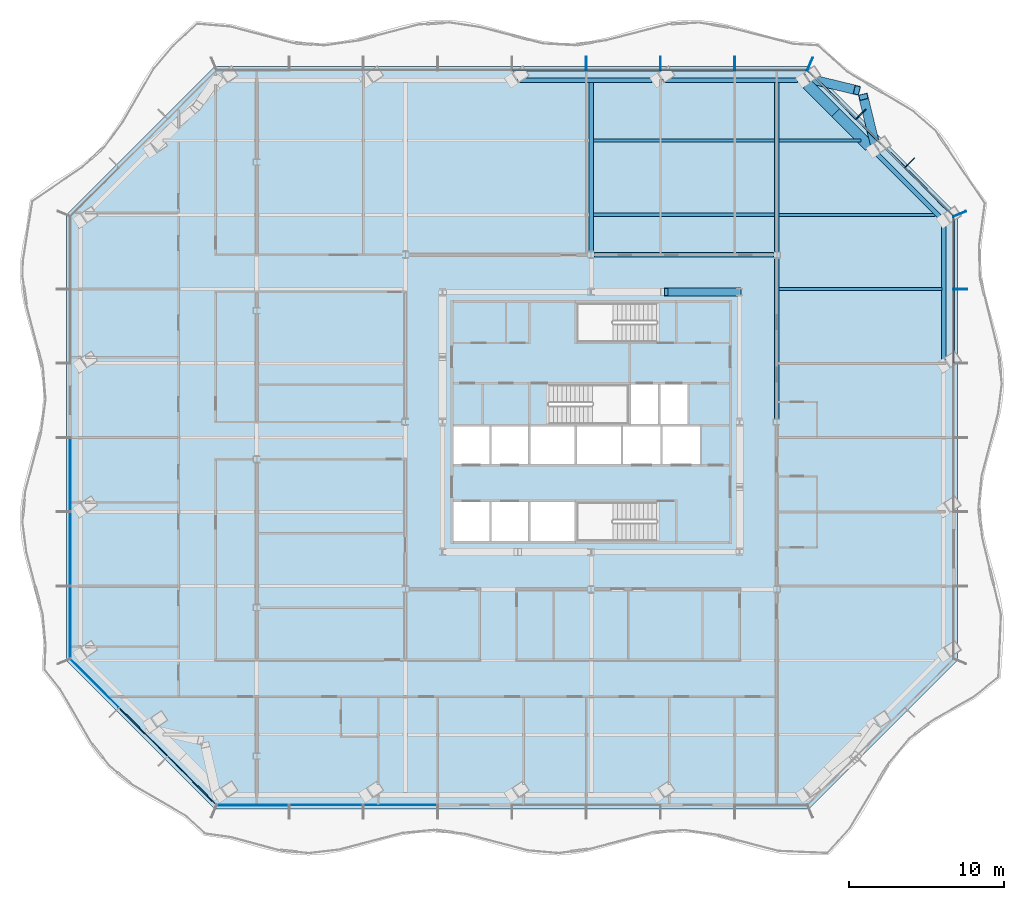
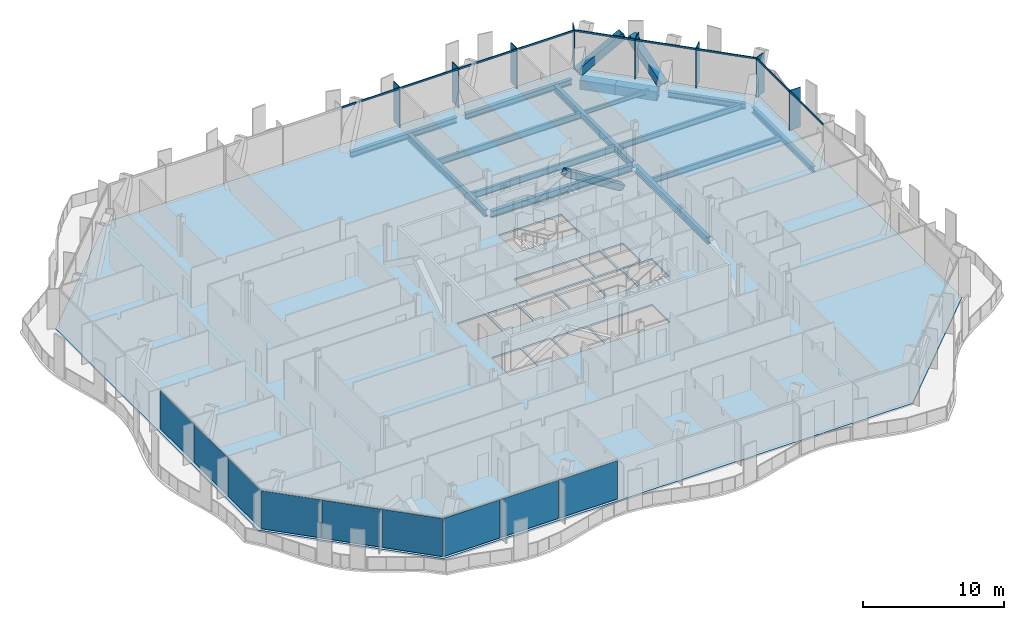
# One storey, part 4 of 19: 20 members, 15 beams, 9 plates, 1 slab, 6 elements without a shape of their own.
"""IFC4 building model written with IfcOpenShell, lengths in metres."""

from ifc_helpers import new_model, si_unit, direction, frame, origin, origin_2d, place, context, subcontext, project, spatial, polyline, rectangle, hollow_rectangle, i_section, outline, extrude, material, layer, layer_set, material_profile, profile_set, type_object, element, aggregate, save


model = new_model("IFC4")

# Units and contexts
model_context = context("Model", 3, precision=1e-05, world=origin(), true_north=direction((0.0, 1.0)))
body_context = subcontext(model_context, "Body", "Model", "MODEL_VIEW")
ifc_project = project(units=[si_unit("LENGTHUNIT", "METRE"), si_unit("AREAUNIT", "SQUARE_METRE"), si_unit("VOLUMEUNIT", "CUBIC_METRE"), si_unit("PLANEANGLEUNIT", "RADIAN"), si_unit("MASSUNIT", "GRAM", prefix="KILO")], contexts=[model_context])

# Site, building, storey
site_placement = place(None, origin())
site = spatial("IfcSite", under=ifc_project, at=site_placement, CompositionType="ELEMENT")
building_placement = place(site_placement, origin())
building = spatial("IfcBuilding", under=site, at=building_placement, Name="Cairn Pilgrim Tower", CompositionType="ELEMENT")
storey_placement = place(building_placement, frame((0.0, 0.0, 97.800048828125)))
storey = spatial("IfcBuildingStorey", under=building, at=storey_placement, Name="L23", CompositionType="ELEMENT", Elevation=97.800048828125)

# Members
ifc_material_1 = material(Name="Structural steel S460M", Category="steel")
ifc_material_profile_1 = material_profile(ifc_material_1, hollow_rectangle(XDim=0.5, YDim=0.5, WallThickness=0.030029296875, at=origin_2d()), Name="BOX 500x500x30")
ifc_profile_set_1 = profile_set([ifc_material_profile_1], Name="Structural steel S460M")
member_type_1 = type_object("IfcMemberType", Name="BOX 500x500x30 BRACE", PredefinedType="BRACE", material=ifc_profile_set_1)
member_1_placement = place(storey_placement, frame((16.75634765625, 10.800048828125, 0.099853515625), z_axis=(-0.851002408489, 0.0, 0.525161785305), x_axis=(0.0, -1.0, 0.0)))
element("IfcMember", 1, at=member_1_placement, inside=storey, type_object=member_type_1, Name="KB-3A", PredefinedType="BRACE", context=body_context, shape_type="SweptSolid", body=[
    extrude(hollow_rectangle(XDim=0.5, YDim=0.5, WallThickness=0.030029296875, at=origin_2d()), origin(), (0.0, 0.0, 1.0), 5.526611328125),
])
ifc_material_profile_2 = material_profile(ifc_material_1, hollow_rectangle(XDim=0.60009765625, YDim=0.60009765625, WallThickness=0.034912109375, at=origin_2d()), Name="BOX 600x600x35")
ifc_profile_set_2 = profile_set([ifc_material_profile_2], Name="Structural steel S460M")
member_type_2 = type_object("IfcMemberType", Name="BOX 600x600x35 BRACE", PredefinedType="BRACE", material=ifc_profile_set_2)
for number, where, z_axis, x_axis, name in (
    (2, (25.58154296875, 20.198974609375, 0.14990234375), (-0.185671892277, 0.765627949919, 0.615905667063), (-0.971831177419, -0.235678091042, 0.0), "XB-NE2-N1-1"),
    (3, (21.158203125, 24.622314453125, 0.14990234375), (0.765627949919, -0.185671892277, 0.615905667063), (0.235678091042, 0.971831177419, 0.0), "XB-NE2-N1-2"),
):
    element("IfcMember", number, at=place(storey_placement, frame(where, z_axis=z_axis, x_axis=x_axis)), inside=storey, type_object=member_type_2, Name=name, PredefinedType="BRACE", context=body_context, shape_type="SweptSolid", body=[
        extrude(hollow_rectangle(XDim=0.60009765625, YDim=0.60009765625, WallThickness=0.034912109375, at=origin_2d()), origin(), (0.0, 0.0, 1.0), 4.203857421875),
    ])

# Beams
ifc_material_2 = material(Name="Structural steel S355J2", Category="steel")
ifc_material_profile_3 = material_profile(ifc_material_2, hollow_rectangle(XDim=0.699951171875, YDim=0.800048828125, WallThickness=0.0400390625, at=origin_2d()), Name="BOX 700x800x40")
ifc_profile_set_3 = profile_set([ifc_material_profile_3], Name="Structural steel S355J2")
beam_type_1 = type_object("IfcBeamType", Name="BOX 700x800x40 RING GIRDER", PredefinedType="SPANDREL", material=ifc_profile_set_3)
beam_1_placement = place(storey_placement, frame((25.196044921875, 20.20947265625, -0.550048828125), z_axis=(-0.70706742861, 0.707146131574, 0.0), x_axis=(-0.707146131574, -0.70706742861, 0.0)))
element("IfcBeam", 4, at=beam_1_placement, inside=storey, type_object=beam_type_1, Name="RG1-NE2-N1-1", PredefinedType="SPANDREL", context=body_context, shape_type="SweptSolid", body=[
    extrude(hollow_rectangle(XDim=0.699951171875, YDim=0.800048828125, WallThickness=0.0400390625, at=origin_2d()), origin(), (0.0, 0.0, 1.0), 3.10205078125),
])
beam_2_placement = place(storey_placement, frame((23.002685546875, 22.403076171875, -0.550048828125), z_axis=(-0.707153847901, 0.707059711339, 0.0), x_axis=(-0.707059711339, -0.707153847901, 0.0)))
element("IfcBeam", 5, at=beam_2_placement, inside=storey, type_object=beam_type_1, Name="RG1-NE2-N1-2", PredefinedType="SPANDREL", context=body_context, shape_type="SweptSolid", body=[
    extrude(hollow_rectangle(XDim=0.699951171875, YDim=0.800048828125, WallThickness=0.0400390625, at=origin_2d()), origin(), (0.0, 0.0, 1.0), 2.593505859375),
])

# Curtain wall, member
ifc_material_3 = material(Name="Aluminium alloy 6063-T6 bronze anodised with Bronze tinted laminated low-E glass 8+16+8.8", Category="aluminium")
curtain_wall_type_1 = type_object("IfcCurtainWallType", Name="TOWER STICK CURTAIN WALL EW", PredefinedType="NOTDEFINED", material=ifc_material_3)
curtain_wall_1_placement = place(storey_placement, origin())
curtain_wall_1 = element("IfcCurtainWall", 6, at=curtain_wall_1_placement, inside=storey, type_object=curtain_wall_type_1, Name="Tower Stick Curtain Wall Ew E", PredefinedType="NOTDEFINED")
ifc_material_4 = material(Name="Aluminium alloy 6063-T6 bronze anodised", Category="aluminium")
ifc_material_profile_4 = material_profile(ifc_material_4, rectangle(XDim=0.89990234375, YDim=0.06005859375, at=origin_2d()), Name="FIN MULLION 60x900 BRONZE")
ifc_profile_set_4 = profile_set([ifc_material_profile_4], Name="Aluminium alloy 6063-T6 bronze anodised")
member_type_3 = type_object("IfcMemberType", Name="FIN MULLION 60x900 BRONZE", PredefinedType="MULLION", material=ifc_profile_set_4)
member_2_placement = place(storey_placement, frame((31.05712890625, 10.991455078125, 0.0), z_axis=(0.0, 0.0, 1.0), x_axis=(1.0, 0.0, 0.0)))
member_2 = element("IfcMember", 7, at=member_2_placement, type_object=member_type_3, Name="Fin mullion E6", PredefinedType="MULLION", context=body_context, shape_type="SweptSolid", body=[
    extrude(rectangle(XDim=0.89990234375, YDim=0.06005859375, at=origin_2d()), origin(), (0.0, 0.0, 1.0), 3.449951171875),
])

# Curtain wall, members
curtain_wall_type_2 = type_object("IfcCurtainWallType", Name="CHAMFER CORNER CURTAIN WALL", PredefinedType="NOTDEFINED", material=ifc_material_3)
curtain_wall_2_placement = place(storey_placement, origin())
curtain_wall_2 = element("IfcCurtainWall", 8, at=curtain_wall_2_placement, inside=storey, type_object=curtain_wall_type_2, Name="Chamfer Corner Curtain Wall NE", PredefinedType="NOTDEFINED")
member_3_placement = place(storey_placement, frame((31.025146484375, 15.8486328125, 0.0), z_axis=(0.0, 0.0, 1.0), x_axis=(0.923879532511, 0.382683432365, 0.0)))
member_3 = element("IfcMember", 9, at=member_3_placement, type_object=member_type_3, Name="Fin mullion NE1", PredefinedType="MULLION", context=body_context, shape_type="SweptSolid", body=[
    extrude(rectangle(XDim=0.89990234375, YDim=0.06005859375, at=origin_2d()), origin(), (0.0, 0.0, 1.0), 3.449951171875),
])
member_4_placement = place(storey_placement, frame((27.782958984375, 19.135986328125, 0.0), z_axis=(0.0, 0.0, 1.0), x_axis=(0.707106781187, 0.707106781187, 0.0)))
member_4 = element("IfcMember", 10, at=member_4_placement, type_object=member_type_3, Name="Fin mullion NE2", PredefinedType="MULLION", context=body_context, shape_type="SweptSolid", body=[
    extrude(rectangle(XDim=0.89990234375, YDim=0.06005859375, at=origin_2d()), origin(), (0.0, 0.0, 1.0), 3.449951171875),
])
member_5_placement = place(storey_placement, frame((24.631591796875, 22.287109375, 0.0), z_axis=(0.0, 0.0, 1.0), x_axis=(0.707106781187, 0.707106781187, 0.0)))
member_5 = element("IfcMember", 11, at=member_5_placement, type_object=member_type_3, Name="Fin mullion NE3", PredefinedType="MULLION", context=body_context, shape_type="SweptSolid", body=[
    extrude(rectangle(XDim=0.89990234375, YDim=0.06005859375, at=origin_2d()), origin(), (0.0, 0.0, 1.0), 3.449951171875),
])

curtain_wall_type_3 = type_object("IfcCurtainWallType", Name="TOWER STICK CURTAIN WALL NS", PredefinedType="NOTDEFINED", material=ifc_material_3)
curtain_wall_3_placement = place(storey_placement, origin())
curtain_wall_3 = element("IfcCurtainWall", 12, at=curtain_wall_3_placement, inside=storey, type_object=curtain_wall_type_3, Name="Tower Stick Curtain Wall Ns N", PredefinedType="NOTDEFINED")
member_6_placement = place(storey_placement, frame((21.34423828125, 25.529296875, 0.0), z_axis=(0.0, 0.0, 1.0), x_axis=(0.382683432365, 0.923879532511, 0.0)))
member_6 = element("IfcMember", 13, at=member_6_placement, type_object=member_type_3, Name="Fin mullion N1", PredefinedType="MULLION", context=body_context, shape_type="SweptSolid", body=[
    extrude(rectangle(XDim=0.89990234375, YDim=0.06005859375, at=origin_2d()), origin(), (0.0, 0.0, 1.0), 3.449951171875),
])
member_7_placement = place(storey_placement, frame((16.487060546875, 25.561279296875, 0.0), z_axis=(0.0, 0.0, 1.0), x_axis=(0.0, 1.0, 0.0)))
member_7 = element("IfcMember", 14, at=member_7_placement, type_object=member_type_3, Name="Fin mullion N2", PredefinedType="MULLION", context=body_context, shape_type="SweptSolid", body=[
    extrude(rectangle(XDim=0.89990234375, YDim=0.06005859375, at=origin_2d()), origin(), (0.0, 0.0, 1.0), 3.449951171875),
])
member_8_placement = place(storey_placement, frame((11.68701171875, 25.561279296875, 0.0), z_axis=(0.0, 0.0, 1.0), x_axis=(0.0, 1.0, 0.0)))
member_8 = element("IfcMember", 15, at=member_8_placement, type_object=member_type_3, Name="Fin mullion N3", PredefinedType="MULLION", context=body_context, shape_type="SweptSolid", body=[
    extrude(rectangle(XDim=0.89990234375, YDim=0.06005859375, at=origin_2d()), origin(), (0.0, 0.0, 1.0), 3.449951171875),
])
member_9_placement = place(storey_placement, frame((6.886962890625, 25.561279296875, 0.0), z_axis=(0.0, 0.0, 1.0), x_axis=(0.0, 1.0, 0.0)))
member_9 = element("IfcMember", 16, at=member_9_placement, type_object=member_type_3, Name="Fin mullion N4", PredefinedType="MULLION", context=body_context, shape_type="SweptSolid", body=[
    extrude(rectangle(XDim=0.89990234375, YDim=0.06005859375, at=origin_2d()), origin(), (0.0, 0.0, 1.0), 3.449951171875),
])

# Beams
ifc_material_profile_5 = material_profile(ifc_material_2, i_section(OverallWidth=0.300048828125, OverallDepth=0.5, WebThickness=0.014404296875, FlangeThickness=0.028076171875, FilletRadius=0.027099609375, at=origin_2d()), Name="HEB 500")
ifc_profile_set_5 = profile_set([ifc_material_profile_5], Name="Structural steel S355J2")
beam_type_2 = type_object("IfcBeamType", Name="HEB 500 RING GIRDER", PredefinedType="SPANDREL", material=ifc_profile_set_5)
beam_3_placement = place(storey_placement, frame((29.987060546875, 6.427001953125, -0.400146484375), z_axis=(0.0, 1.0, 0.0), x_axis=(-1.0, 0.0, 0.0)))
element("IfcBeam", 17, at=beam_3_placement, inside=storey, type_object=beam_type_2, Name="RG1-E3-NE1", PredefinedType="SPANDREL", context=body_context, shape_type="SweptSolid", body=[
    extrude(i_section(OverallWidth=0.300048828125, OverallDepth=0.5, WebThickness=0.014404296875, FlangeThickness=0.028076171875, FilletRadius=0.027099609375, at=origin_2d()), origin(), (0.0, 0.0, 1.0), 8.631591796875),
])
beam_4_placement = place(storey_placement, frame((29.732421875, 15.673095703125, -0.400146484375), z_axis=(-0.707106781187, 0.707106781187, 0.0), x_axis=(-0.707106781187, -0.707106781187, 0.0)))
element("IfcBeam", 18, at=beam_4_placement, inside=storey, type_object=beam_type_2, Name="RG1-NE1-NE2", PredefinedType="SPANDREL", context=body_context, shape_type="SweptSolid", body=[
    extrude(i_section(OverallWidth=0.300048828125, OverallDepth=0.5, WebThickness=0.014404296875, FlangeThickness=0.028076171875, FilletRadius=0.027099609375, at=origin_2d()), origin(), (0.0, 0.0, 1.0), 5.695556640625),
])
for number, where, z_axis, x_axis, name in (
    (19, (20.55419921875, 24.491455078125, -0.400146484375), (-1.0, 0.0, 0.0), (0.0, -1.0, 0.0), "RG1-N1-N2"),
    (20, (11.140625, 24.491455078125, -0.400146484375), (-1.0, 0.0, 0.0), (0.0, -1.0, 0.0), "RG1-N2-N3"),
):
    element("IfcBeam", number, at=place(storey_placement, frame(where, z_axis=z_axis, x_axis=x_axis)), inside=storey, type_object=beam_type_2, Name=name, PredefinedType="SPANDREL", context=body_context, shape_type="SweptSolid", body=[
        extrude(i_section(OverallWidth=0.300048828125, OverallDepth=0.5, WebThickness=0.014404296875, FlangeThickness=0.028076171875, FilletRadius=0.027099609375, at=origin_2d()), origin(), (0.0, 0.0, 1.0), 8.693603515625),
    ])
ifc_material_profile_6 = material_profile(ifc_material_2, i_section(OverallWidth=0.300048828125, OverallDepth=0.60009765625, WebThickness=0.015380859375, FlangeThickness=0.030029296875, FilletRadius=0.027099609375, at=origin_2d()), Name="HEB 600")
ifc_profile_set_6 = profile_set([ifc_material_profile_6], Name="Structural steel S355J2")
beam_type_3 = type_object("IfcBeamType", Name="HEB 600 GIRDER", PredefinedType="BEAM", material=ifc_profile_set_6)
beam_5_placement = place(storey_placement, frame((7.199951171875, 13.404541015625, -0.449951171875), z_axis=(0.0, 1.0, 0.0), x_axis=(-1.0, 0.0, 0.0)))
element("IfcBeam", 21, at=beam_5_placement, inside=storey, type_object=beam_type_3, Name="PG3-2", PredefinedType="BEAM", context=body_context, shape_type="SweptSolid", body=[
    extrude(i_section(OverallWidth=0.300048828125, OverallDepth=0.60009765625, WebThickness=0.015380859375, FlangeThickness=0.030029296875, FilletRadius=0.027099609375, at=origin_2d()), origin(), (0.0, 0.0, 1.0), 10.966796875),
])
beam_6_placement = place(storey_placement, frame((19.199951171875, 2.6044921875, -0.449951171875), z_axis=(0.0, 1.0, 0.0), x_axis=(-1.0, 0.0, 0.0)))
element("IfcBeam", 22, at=beam_6_placement, inside=storey, type_object=beam_type_3, Name="PG4-3", PredefinedType="BEAM", context=body_context, shape_type="SweptSolid", body=[
    extrude(i_section(OverallWidth=0.300048828125, OverallDepth=0.60009765625, WebThickness=0.015380859375, FlangeThickness=0.030029296875, FilletRadius=0.027099609375, at=origin_2d()), origin(), (0.0, 0.0, 1.0), 10.39111328125),
])
beam_7_placement = place(storey_placement, frame((19.199951171875, 13.404541015625, -0.449951171875), z_axis=(0.0, 1.0, 0.0), x_axis=(-1.0, 0.0, 0.0)))
element("IfcBeam", 23, at=beam_7_placement, inside=storey, type_object=beam_type_3, Name="PG4-4", PredefinedType="BEAM", context=body_context, shape_type="SweptSolid", body=[
    extrude(i_section(OverallWidth=0.300048828125, OverallDepth=0.60009765625, WebThickness=0.015380859375, FlangeThickness=0.030029296875, FilletRadius=0.027099609375, at=origin_2d()), origin(), (0.0, 0.0, 1.0), 10.966796875),
])
ifc_material_profile_7 = material_profile(ifc_material_2, i_section(OverallWidth=0.300048828125, OverallDepth=0.60009765625, WebThickness=0.015380859375, FlangeThickness=0.030029296875, FilletRadius=0.027099609375, at=origin_2d()), Name="HEB 600")
ifc_profile_set_7 = profile_set([ifc_material_profile_7], Name="Structural steel S355J2")
beam_type_4 = type_object("IfcBeamType", Name="HEB 600 INNER GIRDER", PredefinedType="BEAM", material=ifc_profile_set_7)
beam_8_placement = place(storey_placement, frame((7.404541015625, 13.199951171875, -0.449951171875), z_axis=(1.0, 0.0, 0.0), x_axis=(0.0, 1.0, 0.0)))
element("IfcBeam", 24, at=beam_8_placement, inside=storey, type_object=beam_type_4, Name="IG2-2", PredefinedType="BEAM", context=body_context, shape_type="SweptSolid", body=[
    extrude(i_section(OverallWidth=0.300048828125, OverallDepth=0.60009765625, WebThickness=0.015380859375, FlangeThickness=0.030029296875, FilletRadius=0.027099609375, at=origin_2d()), origin(), (0.0, 0.0, 1.0), 11.591064453125),
])
ifc_material_profile_8 = material_profile(ifc_material_2, i_section(OverallWidth=0.169921875, OverallDepth=0.360107421875, WebThickness=0.008056640625, FlangeThickness=0.0126953125, FilletRadius=0.01806640625, at=origin_2d()), Name="IPE 360")
ifc_profile_set_8 = profile_set([ifc_material_profile_8], Name="Structural steel S355J2")
beam_type_5 = type_object("IfcBeamType", Name="IPE 360 SECONDARY BEAM", PredefinedType="JOIST", material=ifc_profile_set_8)
beam_9_placement = place(storey_placement, frame((19.35009765625, 20.59130859375, -0.330078125), z_axis=(1.0, 0.0, 0.0), x_axis=(0.0, 1.0, 0.0)))
element("IfcBeam", 25, at=beam_9_placement, inside=storey, type_object=beam_type_5, Name="SB9-5", PredefinedType="JOIST", context=body_context, shape_type="SweptSolid", body=[
    extrude(i_section(OverallWidth=0.169921875, OverallDepth=0.360107421875, WebThickness=0.008056640625, FlangeThickness=0.0126953125, FilletRadius=0.01806640625, at=origin_2d()), origin(), (0.0, 0.0, 1.0), 5.281982421875),
])
ifc_material_profile_9 = material_profile(ifc_material_2, i_section(OverallWidth=0.199951171875, OverallDepth=0.5, WebThickness=0.01025390625, FlangeThickness=0.01611328125, FilletRadius=0.02099609375, at=origin_2d()), Name="IPE 500")
ifc_profile_set_9 = profile_set([ifc_material_profile_9], Name="Structural steel S355J2")
beam_type_6 = type_object("IfcBeamType", Name="IPE 500 SECONDARY BEAM", PredefinedType="JOIST", material=ifc_profile_set_9)
beam_10_placement = place(storey_placement, frame((19.35009765625, 10.991455078125, -0.400146484375), z_axis=(1.0, 0.0, 0.0), x_axis=(0.0, 1.0, 0.0)))
element("IfcBeam", 26, at=beam_10_placement, inside=storey, type_object=beam_type_6, Name="SB7-3", PredefinedType="JOIST", context=body_context, shape_type="SweptSolid", body=[
    extrude(i_section(OverallWidth=0.199951171875, OverallDepth=0.5, WebThickness=0.01025390625, FlangeThickness=0.01611328125, FilletRadius=0.02099609375, at=origin_2d()), origin(), (0.0, 0.0, 1.0), 10.51708984375),
])
beam_11_placement = place(storey_placement, frame((19.35009765625, 15.79150390625, -0.400146484375), z_axis=(1.0, 0.0, 0.0), x_axis=(0.0, 1.0, 0.0)))
element("IfcBeam", 27, at=beam_11_placement, inside=storey, type_object=beam_type_6, Name="SB8-5", PredefinedType="JOIST", context=body_context, shape_type="SweptSolid", body=[
    extrude(i_section(OverallWidth=0.199951171875, OverallDepth=0.5, WebThickness=0.01025390625, FlangeThickness=0.01611328125, FilletRadius=0.02099609375, at=origin_2d()), origin(), (0.0, 0.0, 1.0), 10.08203125),
])
ifc_material_profile_10 = material_profile(ifc_material_2, i_section(OverallWidth=0.2099609375, OverallDepth=0.550048828125, WebThickness=0.010986328125, FlangeThickness=0.01708984375, FilletRadius=0.02392578125, at=origin_2d()), Name="IPE 550")
ifc_profile_set_10 = profile_set([ifc_material_profile_10], Name="Structural steel S355J2")
beam_type_7 = type_object("IfcBeamType", Name="IPE 550 SECONDARY BEAM", PredefinedType="JOIST", material=ifc_profile_set_10)
for number, where, z_axis, x_axis, name in (
    (28, (7.35009765625, 15.79150390625, -0.425048828125), (1.0, 0.0, 0.0), (0.0, 1.0, 0.0), "SB8-4"),
    (29, (7.35009765625, 20.59130859375, -0.425048828125), (1.0, 0.0, 0.0), (0.0, 1.0, 0.0), "SB9-4"),
):
    element("IfcBeam", number, at=place(storey_placement, frame(where, z_axis=z_axis, x_axis=x_axis)), inside=storey, type_object=beam_type_7, Name=name, PredefinedType="JOIST", context=body_context, shape_type="SweptSolid", body=[
        extrude(i_section(OverallWidth=0.2099609375, OverallDepth=0.550048828125, WebThickness=0.010986328125, FlangeThickness=0.01708984375, FilletRadius=0.02392578125, at=origin_2d()), origin(), (0.0, 0.0, 1.0), 11.699951171875),
    ])

# Member
ifc_material_profile_11 = material_profile(ifc_material_4, rectangle(XDim=0.080078125, YDim=0.14990234375, at=origin_2d()), Name="TRANSOM 80x150 BRONZE")
ifc_profile_set_11 = profile_set([ifc_material_profile_11], Name="Aluminium alloy 6063-T6 bronze anodised")
member_type_4 = type_object("IfcMemberType", Name="TRANSOM 80x150 BRONZE", PredefinedType="USERDEFINED", material=ifc_profile_set_11)
member_10_placement = place(storey_placement, frame((30.636962890625, 6.221435546875, 3.375), z_axis=(0.0, 1.0, 0.0), x_axis=(-1.0, 0.0, 0.0)))
member_10 = element("IfcMember", 30, at=member_10_placement, type_object=member_type_4, Name="Transom E5", ObjectType="TRANSOM", PredefinedType="USERDEFINED", context=body_context, shape_type="SweptSolid", body=[
    extrude(rectangle(XDim=0.080078125, YDim=0.14990234375, at=origin_2d()), origin(), (0.0, 0.0, 1.0), 4.739990234375),
])

member_11_placement = place(storey_placement, frame((30.636962890625, 11.021484375, 3.375), z_axis=(0.0, 1.0, 0.0), x_axis=(-1.0, 0.0, 0.0)))
member_11 = element("IfcMember", 31, at=member_11_placement, type_object=member_type_4, Name="Transom E6", ObjectType="TRANSOM", PredefinedType="USERDEFINED", context=body_context, shape_type="SweptSolid", body=[
    extrude(rectangle(XDim=0.080078125, YDim=0.14990234375, at=origin_2d()), origin(), (0.0, 0.0, 1.0), 4.626220703125),
])

aggregate(curtain_wall_1, [member_2, member_10, member_11])

member_12_placement = place(storey_placement, frame((30.60888671875, 15.716064453125, 3.375), z_axis=(-0.707106781187, 0.707106781187, 0.0), x_axis=(-0.707106781187, -0.707106781187, 0.0)))
member_12 = element("IfcMember", 32, at=member_12_placement, type_object=member_type_4, Name="Transom NE1", ObjectType="TRANSOM", PredefinedType="USERDEFINED", context=body_context, shape_type="SweptSolid", body=[
    extrude(rectangle(XDim=0.080078125, YDim=0.14990234375, at=origin_2d()), origin(), (0.0, 0.0, 1.0), 4.38671875),
])

member_13_placement = place(storey_placement, frame((27.464599609375, 18.860107421875, 3.375), z_axis=(-0.707079015032, 0.707134546251, 0.0), x_axis=(-0.707134546251, -0.707079015032, 0.0)))
member_13 = element("IfcMember", 33, at=member_13_placement, type_object=member_type_4, Name="Transom NE2", ObjectType="TRANSOM", PredefinedType="USERDEFINED", context=body_context, shape_type="SweptSolid", body=[
    extrude(rectangle(XDim=0.080078125, YDim=0.14990234375, at=origin_2d()), origin(), (0.0, 0.0, 1.0), 4.396484375),
])

member_14_placement = place(storey_placement, frame((24.3134765625, 22.011474609375, 3.375), z_axis=(-0.707106781187, 0.707106781187, 0.0), x_axis=(-0.707106781187, -0.707106781187, 0.0)))
member_14 = element("IfcMember", 34, at=member_14_placement, type_object=member_type_4, Name="Transom NE3", ObjectType="TRANSOM", PredefinedType="USERDEFINED", context=body_context, shape_type="SweptSolid", body=[
    extrude(rectangle(XDim=0.080078125, YDim=0.14990234375, at=origin_2d()), origin(), (0.0, 0.0, 1.0), 4.38623046875),
])

aggregate(curtain_wall_2, [member_3, member_4, member_5, member_12, member_13, member_14])

member_15_placement = place(storey_placement, frame((21.1435546875, 25.141357421875, 3.375), z_axis=(-1.0, 0.0, 0.0), x_axis=(0.0, -1.0, 0.0)))
member_15 = element("IfcMember", 35, at=member_15_placement, type_object=member_type_4, Name="Transom N1", ObjectType="TRANSOM", PredefinedType="USERDEFINED", context=body_context, shape_type="SweptSolid", body=[
    extrude(rectangle(XDim=0.080078125, YDim=0.14990234375, at=origin_2d()), origin(), (0.0, 0.0, 1.0), 4.62646484375),
])

member_16_placement = place(storey_placement, frame((16.45703125, 25.141357421875, 3.375), z_axis=(-1.0, 0.0, 0.0), x_axis=(0.0, -1.0, 0.0)))
member_16 = element("IfcMember", 36, at=member_16_placement, type_object=member_type_4, Name="Transom N2", ObjectType="TRANSOM", PredefinedType="USERDEFINED", context=body_context, shape_type="SweptSolid", body=[
    extrude(rectangle(XDim=0.080078125, YDim=0.14990234375, at=origin_2d()), origin(), (0.0, 0.0, 1.0), 4.739990234375),
])

member_17_placement = place(storey_placement, frame((11.656982421875, 25.141357421875, 3.375), z_axis=(-1.0, 0.0, 0.0), x_axis=(0.0, -1.0, 0.0)))
member_17 = element("IfcMember", 37, at=member_17_placement, type_object=member_type_4, Name="Transom N3", ObjectType="TRANSOM", PredefinedType="USERDEFINED", context=body_context, shape_type="SweptSolid", body=[
    extrude(rectangle(XDim=0.080078125, YDim=0.14990234375, at=origin_2d()), origin(), (0.0, 0.0, 1.0), 4.739990234375),
])

member_18_placement = place(storey_placement, frame((6.857177734375, 25.141357421875, 3.375), z_axis=(-1.0, 0.0, 0.0), x_axis=(0.0, -1.0, 0.0)))
member_18 = element("IfcMember", 38, at=member_18_placement, type_object=member_type_4, Name="Transom N4", ObjectType="TRANSOM", PredefinedType="USERDEFINED", context=body_context, shape_type="SweptSolid", body=[
    extrude(rectangle(XDim=0.080078125, YDim=0.14990234375, at=origin_2d()), origin(), (0.0, 0.0, 1.0), 4.739990234375),
])

aggregate(curtain_wall_3, [member_6, member_7, member_8, member_9, member_15, member_16, member_17, member_18])

# Slab
ifc_material_5 = material(Name="Concrete C35/45", Category="concrete")
ifc_layer_1 = layer(ifc_material_5, 0.14990234375)
ifc_layer_set_1 = layer_set([ifc_layer_1], Name="COMPOSITE FLOOR SLAB 150")
slab_type = type_object("IfcSlabType", Name="COMPOSITE FLOOR SLAB 150", PredefinedType="FLOOR", material=ifc_layer_set_1)
slab_placement = place(storey_placement, frame((0.0, 0.0, -0.150146484375)))
element("IfcSlab", 39, at=slab_placement, inside=storey, type_object=slab_type, Name="FLOOR SLAB L23", PredefinedType="FLOOR", context=body_context, shape_type="SweptSolid", body=[
    extrude(outline(polyline([(-17.113037109375, -22.608642578125), (21.287109375, -22.608642578125), (30.886962890625, -13.008544921875), (30.886962890625, 15.791259765625), (21.287109375, 25.391357421875), (-17.113037109375, 25.391357421875), (-26.712890625, 15.791259765625), (-26.712890625, -13.008544921875), (-17.113037109375, -22.608642578125)]), holes=[polyline([(-1.72509765625, -5.300048828125), (0.625, -5.300048828125), (0.625, -2.77490234375), (-1.72509765625, -2.77490234375), (-1.72509765625, -5.300048828125)]), polyline([(0.77490234375, -5.300048828125), (3.125, -5.300048828125), (3.125, -2.77490234375), (0.77490234375, -2.77490234375), (0.77490234375, -5.300048828125)]), polyline([(-1.72509765625, -0.324951171875), (0.625, -0.324951171875), (0.625, 2.125), (-1.72509765625, 2.125), (-1.72509765625, -0.324951171875)]), polyline([(0.77490234375, -0.324951171875), (3.125, -0.324951171875), (3.125, 2.125), (0.77490234375, 2.125), (0.77490234375, -0.324951171875)]), polyline([(3.27490234375, -5.300048828125), (6.125, -5.300048828125), (6.125, -2.77490234375), (3.27490234375, -2.77490234375), (3.27490234375, -5.300048828125)]), polyline([(3.27490234375, -0.324951171875), (6.125, -0.324951171875), (6.125, 2.125), (3.27490234375, 2.125), (3.27490234375, -0.324951171875)]), polyline([(6.27490234375, -0.324951171875), (9.125, -0.324951171875), (9.125, 2.125), (6.27490234375, 2.125), (6.27490234375, -0.324951171875)]), polyline([(9.27490234375, -0.324951171875), (11.675048828125, -0.324951171875), (11.675048828125, 2.125), (9.27490234375, 2.125), (9.27490234375, -0.324951171875)]), polyline([(11.824951171875, -0.324951171875), (14.22509765625, -0.324951171875), (14.22509765625, 2.125), (11.824951171875, 2.125), (11.824951171875, -0.324951171875)]), polyline([(9.77490234375, 2.27490234375), (11.52490234375, 2.27490234375), (11.52490234375, 4.824951171875), (9.77490234375, 4.824951171875), (9.77490234375, 2.27490234375)]), polyline([(11.675048828125, 2.27490234375), (13.425048828125, 2.27490234375), (13.425048828125, 4.824951171875), (11.675048828125, 4.824951171875), (11.675048828125, 2.27490234375)]), polyline([(11.424560546875, -2.77490234375), (6.27490234375, -2.77490234375), (6.27490234375, -5.300048828125), (11.424560546875, -5.300048828125), (11.424560546875, -2.77490234375)]), polyline([(4.4755859375, 2.27490234375), (9.625, 2.27490234375), (9.625, 4.824951171875), (4.4755859375, 4.824951171875), (4.4755859375, 2.27490234375)]), polyline([(11.424560546875, 10.10009765625), (6.27490234375, 10.10009765625), (6.27490234375, 7.574951171875), (11.424560546875, 7.574951171875), (11.424560546875, 10.10009765625)])]), origin(), (0.0, 0.0, 1.0), 0.150146484375),
])

# Curtain wall, plates
curtain_wall_4_placement = place(storey_placement, origin())
curtain_wall_4 = element("IfcCurtainWall", 40, at=curtain_wall_4_placement, inside=storey, type_object=curtain_wall_type_2, Name="Chamfer Corner Curtain Wall SW", PredefinedType="NOTDEFINED")
ifc_material_6 = material(Name="Bronze anodised aluminium spandrel panel with mineral wool insulation", Category="aluminium")
ifc_layer_2 = layer(ifc_material_6, 0.06005859375)
ifc_layer_set_2 = layer_set([ifc_layer_2], Name="SPANDREL PANEL 4386x3300")
plate_type_1 = type_object("IfcPlateType", Name="SPANDREL PANEL 4386x3300", PredefinedType="CURTAIN_PANEL", material=ifc_layer_set_2)
plate_1_placement = place(storey_placement, frame((-18.588623046875, -20.779541015625, 0.0), z_axis=(0.0, 0.0, 1.0), x_axis=(0.707106781187, -0.707106781187, 0.0)))
plate_1 = element("IfcPlate", 41, at=plate_1_placement, type_object=plate_type_1, Name="Spandrel Panel SW3-1", PredefinedType="CURTAIN_PANEL", context=body_context, shape_type="SweptSolid", body=[
    extrude(rectangle(XDim=4.386474609375, YDim=0.06005859375, at=origin_2d()), origin(), (0.0, 0.0, 1.0), 3.300048828125),
])
ifc_layer_3 = layer(ifc_material_6, 0.06005859375)
ifc_layer_set_3 = layer_set([ifc_layer_3], Name="SPANDREL PANEL 4396x3300")
plate_type_2 = type_object("IfcPlateType", Name="SPANDREL PANEL 4396x3300", PredefinedType="CURTAIN_PANEL", material=ifc_layer_set_3)
plate_2_placement = place(storey_placement, frame((-21.736083984375, -17.6318359375, 0.0), z_axis=(0.0, 0.0, 1.0), x_axis=(0.707106781187, -0.707106781187, 0.0)))
plate_2 = element("IfcPlate", 42, at=plate_2_placement, type_object=plate_type_2, Name="Spandrel Panel SW2-1", PredefinedType="CURTAIN_PANEL", context=body_context, shape_type="SweptSolid", body=[
    extrude(rectangle(XDim=4.396484375, YDim=0.06005859375, at=origin_2d()), origin(), (0.0, 0.0, 1.0), 3.300048828125),
])

# Curtain wall, plate
curtain_wall_5_placement = place(storey_placement, origin())
curtain_wall_5 = element("IfcCurtainWall", 43, at=curtain_wall_5_placement, inside=storey, type_object=curtain_wall_type_3, Name="Tower Stick Curtain Wall Ns S", PredefinedType="NOTDEFINED")
ifc_layer_4 = layer(ifc_material_6, 0.06005859375)
ifc_layer_set_4 = layer_set([ifc_layer_4], Name="SPANDREL PANEL 4626x3300")
plate_type_3 = type_object("IfcPlateType", Name="SPANDREL PANEL 4626x3300", PredefinedType="CURTAIN_PANEL", material=ifc_layer_set_4)
plate_3_placement = place(storey_placement, frame((-14.65625, -22.358642578125, 0.0), z_axis=(0.0, 0.0, 1.0), x_axis=(1.0, 0.0, 0.0)))
plate_3 = element("IfcPlate", 44, at=plate_3_placement, type_object=plate_type_3, Name="Spandrel Panel S1-1", PredefinedType="CURTAIN_PANEL", context=body_context, shape_type="SweptSolid", body=[
    extrude(rectangle(XDim=4.62646484375, YDim=0.06005859375, at=origin_2d()), origin(), (0.0, 0.0, 1.0), 3.300048828125),
])

# Plate
ifc_material_7 = material(Name="Bronze tinted laminated low-E glass 8+16+8.8", Category="glass")
ifc_layer_5 = layer(ifc_material_7, 0.033935546875)
ifc_layer_set_5 = layer_set([ifc_layer_5], Name="VISION GLAZING 4386x3300")
plate_type_4 = type_object("IfcPlateType", Name="VISION GLAZING 4386x3300", PredefinedType="CURTAIN_PANEL", material=ifc_layer_set_5)
plate_4_placement = place(storey_placement, frame((-24.8837890625, -14.484130859375, 0.0), z_axis=(0.0, 0.0, 1.0), x_axis=(0.707106781187, -0.707106781187, 0.0)))
plate_4 = element("IfcPlate", 45, at=plate_4_placement, type_object=plate_type_4, Name="Vision Glazing SW1-1", PredefinedType="CURTAIN_PANEL", context=body_context, shape_type="SweptSolid", body=[
    extrude(rectangle(XDim=4.386474609375, YDim=0.033935546875, at=origin_2d()), origin(), (0.0, 0.0, 1.0), 3.300048828125),
])

aggregate(curtain_wall_4, [plate_4, plate_2, plate_1])

# Curtain wall, plate
curtain_wall_6_placement = place(storey_placement, origin())
curtain_wall_6 = element("IfcCurtainWall", 46, at=curtain_wall_6_placement, inside=storey, type_object=curtain_wall_type_1, Name="Tower Stick Curtain Wall Ew W", PredefinedType="NOTDEFINED")
ifc_layer_6 = layer(ifc_material_7, 0.033935546875)
ifc_layer_set_6 = layer_set([ifc_layer_6], Name="VISION GLAZING 4626x3300")
plate_type_5 = type_object("IfcPlateType", Name="VISION GLAZING 4626x3300", PredefinedType="CURTAIN_PANEL", material=ifc_layer_set_6)
plate_5_placement = place(storey_placement, frame((-26.462890625, -10.5517578125, 0.0), z_axis=(0.0, 0.0, 1.0), x_axis=(0.0, -1.0, 0.0)))
plate_5 = element("IfcPlate", 47, at=plate_5_placement, type_object=plate_type_5, Name="Vision Glazing W6-1", PredefinedType="CURTAIN_PANEL", context=body_context, shape_type="SweptSolid", body=[
    extrude(rectangle(XDim=4.62646484375, YDim=0.033935546875, at=origin_2d()), origin(), (0.0, 0.0, 1.0), 3.300048828125),
])

# Plate
ifc_layer_7 = layer(ifc_material_7, 0.033935546875)
ifc_layer_set_7 = layer_set([ifc_layer_7], Name="VISION GLAZING 4740x3300")
plate_type_6 = type_object("IfcPlateType", Name="VISION GLAZING 4740x3300", PredefinedType="CURTAIN_PANEL", material=ifc_layer_set_7)
plate_6_placement = place(storey_placement, frame((-9.912841796875, -22.358642578125, 0.0), z_axis=(0.0, 0.0, 1.0), x_axis=(1.0, 0.0, 0.0)))
plate_6 = element("IfcPlate", 48, at=plate_6_placement, type_object=plate_type_6, Name="Vision Glazing S2-1", PredefinedType="CURTAIN_PANEL", context=body_context, shape_type="SweptSolid", body=[
    extrude(rectangle(XDim=4.739990234375, YDim=0.033935546875, at=origin_2d()), origin(), (0.0, 0.0, 1.0), 3.300048828125),
])

plate_7_placement = place(storey_placement, frame((-5.113037109375, -22.358642578125, 0.0), z_axis=(0.0, 0.0, 1.0), x_axis=(1.0, 0.0, 0.0)))
plate_7 = element("IfcPlate", 49, at=plate_7_placement, type_object=plate_type_6, Name="Vision Glazing S3-1", PredefinedType="CURTAIN_PANEL", context=body_context, shape_type="SweptSolid", body=[
    extrude(rectangle(XDim=4.739990234375, YDim=0.033935546875, at=origin_2d()), origin(), (0.0, 0.0, 1.0), 3.300048828125),
])

aggregate(curtain_wall_5, [plate_3, plate_6, plate_7])

plate_8_placement = place(storey_placement, frame((-26.462890625, -1.008544921875, 0.0), z_axis=(0.0, 0.0, 1.0), x_axis=(0.0, -1.0, 0.0)))
plate_8 = element("IfcPlate", 50, at=plate_8_placement, type_object=plate_type_6, Name="Vision Glazing W4-1", PredefinedType="CURTAIN_PANEL", context=body_context, shape_type="SweptSolid", body=[
    extrude(rectangle(XDim=4.739990234375, YDim=0.033935546875, at=origin_2d()), origin(), (0.0, 0.0, 1.0), 3.300048828125),
])

plate_9_placement = place(storey_placement, frame((-26.462890625, -5.80859375, 0.0), z_axis=(0.0, 0.0, 1.0), x_axis=(0.0, -1.0, 0.0)))
plate_9 = element("IfcPlate", 51, at=plate_9_placement, type_object=plate_type_6, Name="Vision Glazing W5-1", PredefinedType="CURTAIN_PANEL", context=body_context, shape_type="SweptSolid", body=[
    extrude(rectangle(XDim=4.739990234375, YDim=0.033935546875, at=origin_2d()), origin(), (0.0, 0.0, 1.0), 3.300048828125),
])

aggregate(curtain_wall_6, [plate_8, plate_9, plate_5])

save(model, "model.ifc")
